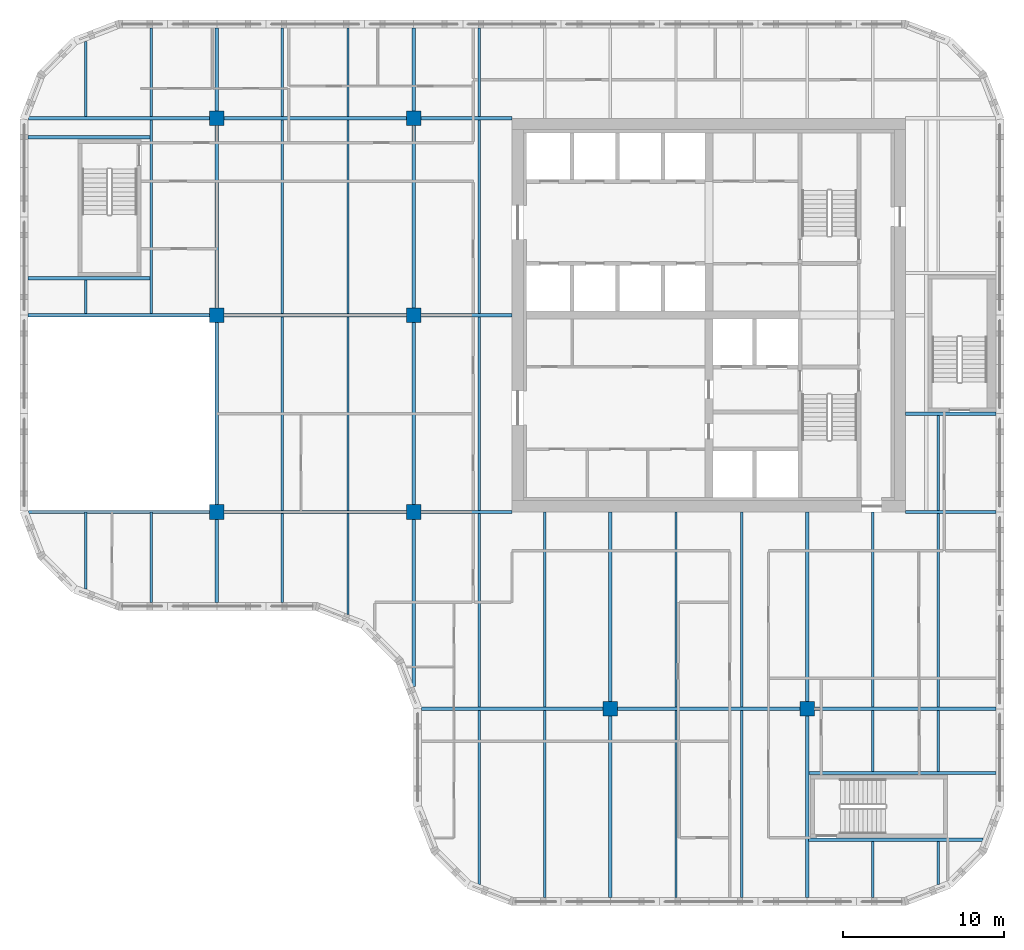
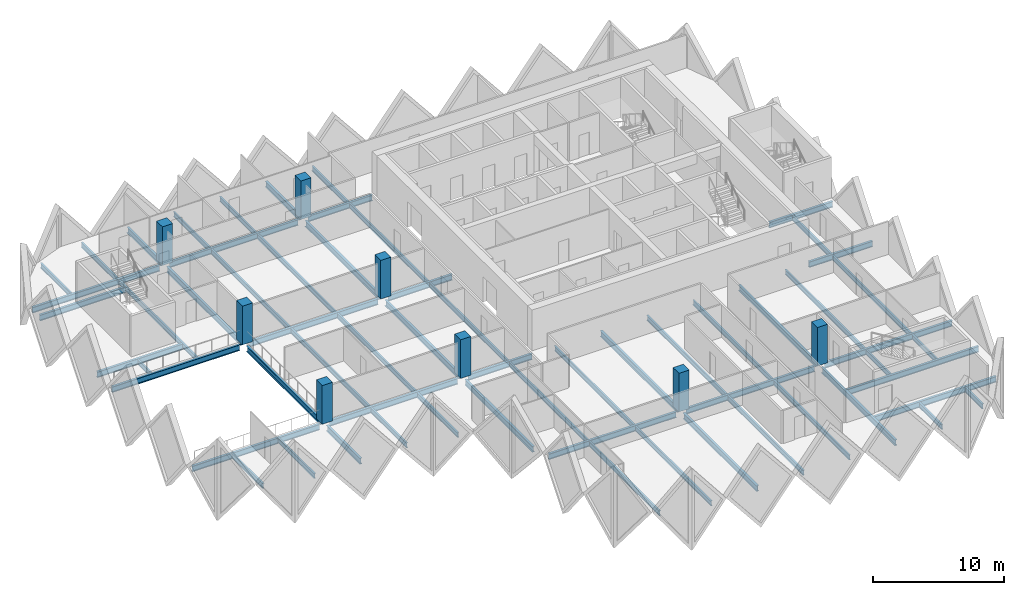
# One storey, part 1 of 12: 62 beams, 8 columns.
"""IFC4 building model written with IfcOpenShell, lengths in metres."""

from ifc_helpers import new_model, si_unit, direction, frame, origin, origin_2d, place, context, subcontext, project, spatial, rectangle, i_section, extrude, material, material_profile, profile_set, type_object, element, save


model = new_model("IFC4")

# Units and contexts
model_context = context("Model", 3, precision=1e-05, world=origin(), true_north=direction((0.0, 1.0)))
body_context = subcontext(model_context, "Body", "Model", "MODEL_VIEW")
ifc_project = project(units=[si_unit("LENGTHUNIT", "METRE"), si_unit("AREAUNIT", "SQUARE_METRE"), si_unit("VOLUMEUNIT", "CUBIC_METRE"), si_unit("PLANEANGLEUNIT", "RADIAN"), si_unit("MASSUNIT", "GRAM", prefix="KILO")], contexts=[model_context])

# Site, building, storey
site_placement = place(None, origin())
site = spatial("IfcSite", under=ifc_project, at=site_placement, CompositionType="ELEMENT")
building_placement = place(site_placement, origin())
building = spatial("IfcBuilding", under=site, at=building_placement, Name="Tessera Gate Towers", CompositionType="ELEMENT")
storey_placement = place(building_placement, frame((0.0, 0.0, 143.0)))
storey = spatial("IfcBuildingStorey", under=building, at=storey_placement, Name="L35", CompositionType="ELEMENT", Elevation=143.0)

# Columns
ifc_material_1 = material(Name="Concrete C70/85", Category="concrete")
ifc_material_profile_1 = material_profile(ifc_material_1, rectangle(XDim=0.89990234375, YDim=0.89990234375, at=origin_2d()), Name="RC 900x900")
ifc_profile_set_1 = profile_set([ifc_material_profile_1], Name="Concrete C70/85")
column_type = type_object("IfcColumnType", Name="COLUMN RC 900x900", PredefinedType="COLUMN", material=ifc_profile_set_1)
for number, where, z_axis, x_axis, name in (
    (1, (12.199951171875, 24.39990234375, 0.0), (0.0, 0.0, 1.0), (1.0, 0.0, 0.0), "T1-COL-2C-L35"),
    (2, (12.199951171875, 36.60009765625, 0.0), (0.0, 0.0, 1.0), (1.0, 0.0, 0.0), "T1-COL-2D-L35"),
    (3, (12.199951171875, 48.800048828125, 0.0), (0.0, 0.0, 1.0), (1.0, 0.0, 0.0), "T1-COL-2E-L35"),
    (4, (24.39990234375, 24.39990234375, 0.0), (0.0, 0.0, 1.0), (1.0, 0.0, 0.0), "T1-COL-3C-L35"),
    (5, (24.39990234375, 36.60009765625, 0.0), (0.0, 0.0, 1.0), (1.0, 0.0, 0.0), "T1-COL-3D-L35"),
    (6, (24.39990234375, 48.800048828125, 0.0), (0.0, 0.0, 1.0), (1.0, 0.0, 0.0), "T1-COL-3E-L35"),
    (7, (36.60009765625, 12.199951171875, 0.0), (0.0, 0.0, 1.0), (1.0, 0.0, 0.0), "T1-COL-4B-L35"),
    (8, (48.800048828125, 12.199951171875, 0.0), (0.0, 0.0, 1.0), (1.0, 0.0, 0.0), "T1-COL-5B-L35"),
):
    element("IfcColumn", number, at=place(storey_placement, frame(where, z_axis=z_axis, x_axis=x_axis)), inside=storey, type_object=column_type, Name=name, PredefinedType="COLUMN", context=body_context, shape_type="SweptSolid", body=[
        extrude(rectangle(XDim=0.89990234375, YDim=0.89990234375, at=origin_2d()), origin(), (0.0, 0.0, 1.0), 3.60009765625),
    ])

# Beams
ifc_material_2 = material(Name="Steel 350W", Category="steel")
ifc_material_profile_2 = material_profile(ifc_material_2, i_section(OverallWidth=0.208984375, OverallDepth=0.532958984375, WebThickness=0.01025390625, FlangeThickness=0.015625, at=origin_2d()), Name="W530x92")
ifc_profile_set_2 = profile_set([ifc_material_profile_2], Name="Steel 350W")
beam_type_1 = type_object("IfcBeamType", Name="FLOOR GIRDER W530x92", PredefinedType="BEAM", material=ifc_profile_set_2)
beam_1_placement = place(storey_placement, frame((24.89892578125, 12.199951171875, -0.466552734375), z_axis=(1.0, 0.0, 0.0), x_axis=(0.0, 1.0, 0.0)))
element("IfcBeam", 9, at=beam_1_placement, inside=storey, type_object=beam_type_1, Name="T1-GD-L35-4148", PredefinedType="BEAM", context=body_context, shape_type="SweptSolid", body=[
    extrude(i_section(OverallWidth=0.208984375, OverallDepth=0.532958984375, WebThickness=0.01025390625, FlangeThickness=0.015625, at=origin_2d()), origin(), (0.0, 0.0, 1.0), 11.2509765625),
])
beam_2_placement = place(storey_placement, frame((37.050048828125, 12.199951171875, -0.466552734375), z_axis=(1.0, 0.0, 0.0), x_axis=(0.0, 1.0, 0.0)))
element("IfcBeam", 10, at=beam_2_placement, inside=storey, type_object=beam_type_1, Name="T1-GD-L35-4149", PredefinedType="BEAM", context=body_context, shape_type="SweptSolid", body=[
    extrude(i_section(OverallWidth=0.208984375, OverallDepth=0.532958984375, WebThickness=0.01025390625, FlangeThickness=0.015625, at=origin_2d()), origin(), (0.0, 0.0, 1.0), 11.300048828125),
])
beam_3_placement = place(storey_placement, frame((49.25, 12.199951171875, -0.466552734375), z_axis=(1.0, 0.0, 0.0), x_axis=(0.0, 1.0, 0.0)))
element("IfcBeam", 11, at=beam_3_placement, inside=storey, type_object=beam_type_1, Name="T1-GD-L35-4150", PredefinedType="BEAM", context=body_context, shape_type="SweptSolid", body=[
    extrude(i_section(OverallWidth=0.208984375, OverallDepth=0.532958984375, WebThickness=0.01025390625, FlangeThickness=0.015625, at=origin_2d()), origin(), (0.0, 0.0, 1.0), 11.2509765625),
])
beam_4_placement = place(storey_placement, frame((0.534912109375, 24.39990234375, -0.466552734375), z_axis=(1.0, 0.0, 0.0), x_axis=(0.0, 1.0, 0.0)))
element("IfcBeam", 12, at=beam_4_placement, inside=storey, type_object=beam_type_1, Name="T1-GD-L35-4151", PredefinedType="BEAM", context=body_context, shape_type="SweptSolid", body=[
    extrude(i_section(OverallWidth=0.208984375, OverallDepth=0.532958984375, WebThickness=0.01025390625, FlangeThickness=0.015625, at=origin_2d()), origin(), (0.0, 0.0, 1.0), 11.215087890625),
])
beam_5_placement = place(storey_placement, frame((12.64990234375, 24.39990234375, -0.466552734375), z_axis=(1.0, 0.0, 0.0), x_axis=(0.0, 1.0, 0.0)))
element("IfcBeam", 13, at=beam_5_placement, inside=storey, type_object=beam_type_1, Name="T1-GD-L35-4152", PredefinedType="BEAM", context=body_context, shape_type="SweptSolid", body=[
    extrude(i_section(OverallWidth=0.208984375, OverallDepth=0.532958984375, WebThickness=0.01025390625, FlangeThickness=0.015625, at=origin_2d()), origin(), (0.0, 0.0, 1.0), 11.300048828125),
])
beam_6_placement = place(storey_placement, frame((24.85009765625, 24.39990234375, -0.466552734375), z_axis=(1.0, 0.0, 0.0), x_axis=(0.0, 1.0, 0.0)))
element("IfcBeam", 14, at=beam_6_placement, inside=storey, type_object=beam_type_1, Name="T1-GD-L35-4153", PredefinedType="BEAM", context=body_context, shape_type="SweptSolid", body=[
    extrude(i_section(OverallWidth=0.208984375, OverallDepth=0.532958984375, WebThickness=0.01025390625, FlangeThickness=0.015625, at=origin_2d()), origin(), (0.0, 0.0, 1.0), 5.64892578125),
])
beam_7_placement = place(storey_placement, frame((54.90087890625, 24.39990234375, -0.466552734375), z_axis=(1.0, 0.0, 0.0), x_axis=(0.0, 1.0, 0.0)))
element("IfcBeam", 15, at=beam_7_placement, inside=storey, type_object=beam_type_1, Name="T1-GD-L35-4154", PredefinedType="BEAM", context=body_context, shape_type="SweptSolid", body=[
    extrude(i_section(OverallWidth=0.208984375, OverallDepth=0.532958984375, WebThickness=0.01025390625, FlangeThickness=0.015625, at=origin_2d()), origin(), (0.0, 0.0, 1.0), 5.60009765625),
])
beam_8_placement = place(storey_placement, frame((0.4990234375, 36.60009765625, -0.466552734375), z_axis=(1.0, 0.0, 0.0), x_axis=(0.0, 1.0, 0.0)))
element("IfcBeam", 16, at=beam_8_placement, inside=storey, type_object=beam_type_1, Name="T1-GD-L35-4155", PredefinedType="BEAM", context=body_context, shape_type="SweptSolid", body=[
    extrude(i_section(OverallWidth=0.208984375, OverallDepth=0.532958984375, WebThickness=0.01025390625, FlangeThickness=0.015625, at=origin_2d()), origin(), (0.0, 0.0, 1.0), 11.2509765625),
])
beam_9_placement = place(storey_placement, frame((12.64990234375, 36.60009765625, -0.466552734375), z_axis=(1.0, 0.0, 0.0), x_axis=(0.0, 1.0, 0.0)))
element("IfcBeam", 17, at=beam_9_placement, inside=storey, type_object=beam_type_1, Name="T1-GD-L35-4156", PredefinedType="BEAM", context=body_context, shape_type="SweptSolid", body=[
    extrude(i_section(OverallWidth=0.208984375, OverallDepth=0.532958984375, WebThickness=0.01025390625, FlangeThickness=0.015625, at=origin_2d()), origin(), (0.0, 0.0, 1.0), 11.300048828125),
])
beam_10_placement = place(storey_placement, frame((24.85009765625, 36.60009765625, -0.466552734375), z_axis=(1.0, 0.0, 0.0), x_axis=(0.0, 1.0, 0.0)))
element("IfcBeam", 18, at=beam_10_placement, inside=storey, type_object=beam_type_1, Name="T1-GD-L35-4157", PredefinedType="BEAM", context=body_context, shape_type="SweptSolid", body=[
    extrude(i_section(OverallWidth=0.208984375, OverallDepth=0.532958984375, WebThickness=0.01025390625, FlangeThickness=0.015625, at=origin_2d()), origin(), (0.0, 0.0, 1.0), 5.65087890625),
])
beam_11_placement = place(storey_placement, frame((0.534912109375, 48.800048828125, -0.466552734375), z_axis=(1.0, 0.0, 0.0), x_axis=(0.0, 1.0, 0.0)))
element("IfcBeam", 19, at=beam_11_placement, inside=storey, type_object=beam_type_1, Name="T1-GD-L35-4159", PredefinedType="BEAM", context=body_context, shape_type="SweptSolid", body=[
    extrude(i_section(OverallWidth=0.208984375, OverallDepth=0.532958984375, WebThickness=0.01025390625, FlangeThickness=0.015625, at=origin_2d()), origin(), (0.0, 0.0, 1.0), 11.215087890625),
])
beam_12_placement = place(storey_placement, frame((12.64990234375, 48.800048828125, -0.466552734375), z_axis=(1.0, 0.0, 0.0), x_axis=(0.0, 1.0, 0.0)))
element("IfcBeam", 20, at=beam_12_placement, inside=storey, type_object=beam_type_1, Name="T1-GD-L35-4160", PredefinedType="BEAM", context=body_context, shape_type="SweptSolid", body=[
    extrude(i_section(OverallWidth=0.208984375, OverallDepth=0.532958984375, WebThickness=0.01025390625, FlangeThickness=0.015625, at=origin_2d()), origin(), (0.0, 0.0, 1.0), 11.300048828125),
])
beam_13_placement = place(storey_placement, frame((24.85009765625, 48.800048828125, -0.466552734375), z_axis=(1.0, 0.0, 0.0), x_axis=(0.0, 1.0, 0.0)))
element("IfcBeam", 21, at=beam_13_placement, inside=storey, type_object=beam_type_1, Name="T1-GD-L35-4161", PredefinedType="BEAM", context=body_context, shape_type="SweptSolid", body=[
    extrude(i_section(OverallWidth=0.208984375, OverallDepth=0.532958984375, WebThickness=0.01025390625, FlangeThickness=0.015625, at=origin_2d()), origin(), (0.0, 0.0, 1.0), 5.64892578125),
])
beam_14_placement = place(storey_placement, frame((12.199951171875, 18.799072265625, -0.466552734375), z_axis=(0.0, 1.0, 0.0), x_axis=(-1.0, 0.0, 0.0)))
element("IfcBeam", 22, at=beam_14_placement, inside=storey, type_object=beam_type_1, Name="T1-GD-L35-4163", PredefinedType="BEAM", context=body_context, shape_type="SweptSolid", body=[
    extrude(i_section(OverallWidth=0.208984375, OverallDepth=0.532958984375, WebThickness=0.01025390625, FlangeThickness=0.015625, at=origin_2d()), origin(), (0.0, 0.0, 1.0), 5.15087890625),
])
beam_15_placement = place(storey_placement, frame((12.199951171875, 24.85009765625, -0.466552734375), z_axis=(0.0, 1.0, 0.0), x_axis=(-1.0, 0.0, 0.0)))
element("IfcBeam", 23, at=beam_15_placement, inside=storey, type_object=beam_type_1, Name="T1-GD-L35-4164", PredefinedType="BEAM", context=body_context, shape_type="SweptSolid", body=[
    extrude(i_section(OverallWidth=0.208984375, OverallDepth=0.532958984375, WebThickness=0.01025390625, FlangeThickness=0.015625, at=origin_2d()), origin(), (0.0, 0.0, 1.0), 11.2998046875),
])
beam_16_placement = place(storey_placement, frame((12.199951171875, 37.050048828125, -0.466552734375), z_axis=(0.0, 1.0, 0.0), x_axis=(-1.0, 0.0, 0.0)))
element("IfcBeam", 24, at=beam_16_placement, inside=storey, type_object=beam_type_1, Name="T1-GD-L35-4165", PredefinedType="BEAM", context=body_context, shape_type="SweptSolid", body=[
    extrude(i_section(OverallWidth=0.208984375, OverallDepth=0.532958984375, WebThickness=0.01025390625, FlangeThickness=0.015625, at=origin_2d()), origin(), (0.0, 0.0, 1.0), 11.300048828125),
])
beam_17_placement = place(storey_placement, frame((12.199951171875, 49.25, -0.466552734375), z_axis=(0.0, 1.0, 0.0), x_axis=(-1.0, 0.0, 0.0)))
element("IfcBeam", 25, at=beam_17_placement, inside=storey, type_object=beam_type_1, Name="T1-GD-L35-4166", PredefinedType="BEAM", context=body_context, shape_type="SweptSolid", body=[
    extrude(i_section(OverallWidth=0.208984375, OverallDepth=0.532958984375, WebThickness=0.01025390625, FlangeThickness=0.015625, at=origin_2d()), origin(), (0.0, 0.0, 1.0), 5.15087890625),
])
beam_18_placement = place(storey_placement, frame((24.39990234375, 13.58642578125, -0.466552734375), z_axis=(0.0, 1.0, 0.0), x_axis=(-1.0, 0.0, 0.0)))
element("IfcBeam", 26, at=beam_18_placement, inside=storey, type_object=beam_type_1, Name="T1-GD-L35-4167", PredefinedType="BEAM", context=body_context, shape_type="SweptSolid", body=[
    extrude(i_section(OverallWidth=0.208984375, OverallDepth=0.532958984375, WebThickness=0.01025390625, FlangeThickness=0.015625, at=origin_2d()), origin(), (0.0, 0.0, 1.0), 10.363525390625),
])
beam_19_placement = place(storey_placement, frame((24.39990234375, 24.85009765625, -0.466552734375), z_axis=(0.0, 1.0, 0.0), x_axis=(-1.0, 0.0, 0.0)))
element("IfcBeam", 27, at=beam_19_placement, inside=storey, type_object=beam_type_1, Name="T1-GD-L35-4168", PredefinedType="BEAM", context=body_context, shape_type="SweptSolid", body=[
    extrude(i_section(OverallWidth=0.208984375, OverallDepth=0.532958984375, WebThickness=0.01025390625, FlangeThickness=0.015625, at=origin_2d()), origin(), (0.0, 0.0, 1.0), 11.2998046875),
])
beam_20_placement = place(storey_placement, frame((24.39990234375, 37.050048828125, -0.466552734375), z_axis=(0.0, 1.0, 0.0), x_axis=(-1.0, 0.0, 0.0)))
element("IfcBeam", 28, at=beam_20_placement, inside=storey, type_object=beam_type_1, Name="T1-GD-L35-4169", PredefinedType="BEAM", context=body_context, shape_type="SweptSolid", body=[
    extrude(i_section(OverallWidth=0.208984375, OverallDepth=0.532958984375, WebThickness=0.01025390625, FlangeThickness=0.015625, at=origin_2d()), origin(), (0.0, 0.0, 1.0), 11.300048828125),
])
beam_21_placement = place(storey_placement, frame((24.39990234375, 49.25, -0.466552734375), z_axis=(0.0, 1.0, 0.0), x_axis=(-1.0, 0.0, 0.0)))
element("IfcBeam", 29, at=beam_21_placement, inside=storey, type_object=beam_type_1, Name="T1-GD-L35-4170", PredefinedType="BEAM", context=body_context, shape_type="SweptSolid", body=[
    extrude(i_section(OverallWidth=0.208984375, OverallDepth=0.532958984375, WebThickness=0.01025390625, FlangeThickness=0.015625, at=origin_2d()), origin(), (0.0, 0.0, 1.0), 5.15087890625),
])
beam_22_placement = place(storey_placement, frame((36.60009765625, 0.4990234375, -0.466552734375), z_axis=(0.0, 1.0, 0.0), x_axis=(-1.0, 0.0, 0.0)))
element("IfcBeam", 30, at=beam_22_placement, inside=storey, type_object=beam_type_1, Name="T1-GD-L35-4171", PredefinedType="BEAM", context=body_context, shape_type="SweptSolid", body=[
    extrude(i_section(OverallWidth=0.208984375, OverallDepth=0.532958984375, WebThickness=0.01025390625, FlangeThickness=0.015625, at=origin_2d()), origin(), (0.0, 0.0, 1.0), 11.2509765625),
])
beam_23_placement = place(storey_placement, frame((36.60009765625, 12.64990234375, -0.466552734375), z_axis=(0.0, 1.0, 0.0), x_axis=(-1.0, 0.0, 0.0)))
element("IfcBeam", 31, at=beam_23_placement, inside=storey, type_object=beam_type_1, Name="T1-GD-L35-4172", PredefinedType="BEAM", context=body_context, shape_type="SweptSolid", body=[
    extrude(i_section(OverallWidth=0.208984375, OverallDepth=0.532958984375, WebThickness=0.01025390625, FlangeThickness=0.015625, at=origin_2d()), origin(), (0.0, 0.0, 1.0), 11.75),
])
beam_24_placement = place(storey_placement, frame((48.800048828125, 0.4990234375, -0.466552734375), z_axis=(0.0, 1.0, 0.0), x_axis=(-1.0, 0.0, 0.0)))
element("IfcBeam", 32, at=beam_24_placement, inside=storey, type_object=beam_type_1, Name="T1-GD-L35-4173", PredefinedType="BEAM", context=body_context, shape_type="SweptSolid", body=[
    extrude(i_section(OverallWidth=0.208984375, OverallDepth=0.532958984375, WebThickness=0.01025390625, FlangeThickness=0.015625, at=origin_2d()), origin(), (0.0, 0.0, 1.0), 11.2509765625),
])
beam_25_placement = place(storey_placement, frame((48.800048828125, 12.64990234375, -0.466552734375), z_axis=(0.0, 1.0, 0.0), x_axis=(-1.0, 0.0, 0.0)))
element("IfcBeam", 33, at=beam_25_placement, inside=storey, type_object=beam_type_1, Name="T1-GD-L35-4174", PredefinedType="BEAM", context=body_context, shape_type="SweptSolid", body=[
    extrude(i_section(OverallWidth=0.208984375, OverallDepth=0.532958984375, WebThickness=0.01025390625, FlangeThickness=0.015625, at=origin_2d()), origin(), (0.0, 0.0, 1.0), 11.75),
])
for number, where, z_axis, x_axis, name in (
    (34, (0.4990234375, 38.8798828125, -0.466552734375), (1.0, 0.0, 0.0), (0.0, 1.0, 0.0), "T1-GD-L35-4175"),
    (35, (0.4990234375, 47.6201171875, -0.466552734375), (1.0, 0.0, 0.0), (0.0, 1.0, 0.0), "T1-GD-L35-4176"),
):
    element("IfcBeam", number, at=place(storey_placement, frame(where, z_axis=z_axis, x_axis=x_axis)), inside=storey, type_object=beam_type_1, Name=name, PredefinedType="BEAM", context=body_context, shape_type="SweptSolid", body=[
        extrude(i_section(OverallWidth=0.208984375, OverallDepth=0.532958984375, WebThickness=0.01025390625, FlangeThickness=0.015625, at=origin_2d()), origin(), (0.0, 0.0, 1.0), 7.557861328125),
    ])
beam_26_placement = place(storey_placement, frame((48.87646484375, 4.080078125, -0.466552734375), z_axis=(1.0, 0.0, 0.0), x_axis=(0.0, 1.0, 0.0)))
element("IfcBeam", 36, at=beam_26_placement, inside=storey, type_object=beam_type_1, Name="T1-GD-L35-4177", PredefinedType="BEAM", context=body_context, shape_type="SweptSolid", body=[
    extrude(i_section(OverallWidth=0.208984375, OverallDepth=0.532958984375, WebThickness=0.01025390625, FlangeThickness=0.015625, at=origin_2d()), origin(), (0.0, 0.0, 1.0), 10.809326171875),
])
beam_27_placement = place(storey_placement, frame((48.87646484375, 8.219970703125, -0.466552734375), z_axis=(1.0, 0.0, 0.0), x_axis=(0.0, 1.0, 0.0)))
element("IfcBeam", 37, at=beam_27_placement, inside=storey, type_object=beam_type_1, Name="T1-GD-L35-4178", PredefinedType="BEAM", context=body_context, shape_type="SweptSolid", body=[
    extrude(i_section(OverallWidth=0.208984375, OverallDepth=0.532958984375, WebThickness=0.01025390625, FlangeThickness=0.015625, at=origin_2d()), origin(), (0.0, 0.0, 1.0), 11.62451171875),
])
beam_28_placement = place(storey_placement, frame((54.89892578125, 30.47998046875, -0.466552734375), z_axis=(1.0, 0.0, 0.0), x_axis=(0.0, 1.0, 0.0)))
element("IfcBeam", 38, at=beam_28_placement, inside=storey, type_object=beam_type_1, Name="T1-GD-L35-4179", PredefinedType="BEAM", context=body_context, shape_type="SweptSolid", body=[
    extrude(i_section(OverallWidth=0.208984375, OverallDepth=0.532958984375, WebThickness=0.01025390625, FlangeThickness=0.015625, at=origin_2d()), origin(), (0.0, 0.0, 1.0), 5.60205078125),
])
ifc_material_3 = material(Name="Steel 350W", Category="steel")
ifc_material_profile_3 = material_profile(ifc_material_3, i_section(OverallWidth=0.153076171875, OverallDepth=0.455078125, WebThickness=0.008056640625, FlangeThickness=0.01318359375, at=origin_2d()), Name="W460x60")
ifc_profile_set_3 = profile_set([ifc_material_profile_3], Name="Steel 350W")
beam_type_2 = type_object("IfcBeamType", Name="FLOOR SECONDARY W460x60", PredefinedType="BEAM", material=ifc_profile_set_3)
beam_29_placement = place(storey_placement, frame((4.066650390625, 19.620361328125, -0.427490234375), z_axis=(0.0, 1.0, 0.0), x_axis=(-1.0, 0.0, 0.0)))
element("IfcBeam", 39, at=beam_29_placement, inside=storey, type_object=beam_type_2, Name="T1-BM-L35-4182", PredefinedType="BEAM", context=body_context, shape_type="SweptSolid", body=[
    extrude(i_section(OverallWidth=0.153076171875, OverallDepth=0.455078125, WebThickness=0.008056640625, FlangeThickness=0.01318359375, at=origin_2d()), origin(), (0.0, 0.0, 1.0), 4.779541015625),
])
beam_30_placement = place(storey_placement, frame((4.066650390625, 36.70458984375, -0.427490234375), z_axis=(0.0, 1.0, 0.0), x_axis=(-1.0, 0.0, 0.0)))
element("IfcBeam", 40, at=beam_30_placement, inside=storey, type_object=beam_type_2, Name="T1-BM-L35-4183", PredefinedType="BEAM", context=body_context, shape_type="SweptSolid", body=[
    extrude(i_section(OverallWidth=0.153076171875, OverallDepth=0.455078125, WebThickness=0.008056640625, FlangeThickness=0.01318359375, at=origin_2d()), origin(), (0.0, 0.0, 1.0), 2.07080078125),
])
beam_31_placement = place(storey_placement, frame((4.066650390625, 48.904541015625, -0.427490234375), z_axis=(0.0, 1.0, 0.0), x_axis=(-1.0, 0.0, 0.0)))
element("IfcBeam", 41, at=beam_31_placement, inside=storey, type_object=beam_type_2, Name="T1-BM-L35-4184", PredefinedType="BEAM", context=body_context, shape_type="SweptSolid", body=[
    extrude(i_section(OverallWidth=0.153076171875, OverallDepth=0.455078125, WebThickness=0.008056640625, FlangeThickness=0.01318359375, at=origin_2d()), origin(), (0.0, 0.0, 1.0), 4.675048828125),
])
beam_32_placement = place(storey_placement, frame((8.13330078125, 18.800048828125, -0.427490234375), z_axis=(0.0, 1.0, 0.0), x_axis=(-1.0, 0.0, 0.0)))
element("IfcBeam", 42, at=beam_32_placement, inside=storey, type_object=beam_type_2, Name="T1-BM-L35-4185", PredefinedType="BEAM", context=body_context, shape_type="SweptSolid", body=[
    extrude(i_section(OverallWidth=0.153076171875, OverallDepth=0.455078125, WebThickness=0.008056640625, FlangeThickness=0.01318359375, at=origin_2d()), origin(), (0.0, 0.0, 1.0), 5.599853515625),
])
beam_33_placement = place(storey_placement, frame((8.13330078125, 36.70458984375, -0.427490234375), z_axis=(0.0, 1.0, 0.0), x_axis=(-1.0, 0.0, 0.0)))
element("IfcBeam", 43, at=beam_33_placement, inside=storey, type_object=beam_type_2, Name="T1-BM-L35-4186", PredefinedType="BEAM", context=body_context, shape_type="SweptSolid", body=[
    extrude(i_section(OverallWidth=0.153076171875, OverallDepth=0.455078125, WebThickness=0.008056640625, FlangeThickness=0.01318359375, at=origin_2d()), origin(), (0.0, 0.0, 1.0), 11.990966796875),
])
for number, where, z_axis, x_axis, name in (
    (44, (8.13330078125, 48.904541015625, -0.427490234375), (0.0, 1.0, 0.0), (-1.0, 0.0, 0.0), "T1-BM-L35-4187"),
    (45, (16.2666015625, 18.800048828125, -0.427490234375), (0.0, 1.0, 0.0), (-1.0, 0.0, 0.0), "T1-BM-L35-4188"),
):
    element("IfcBeam", number, at=place(storey_placement, frame(where, z_axis=z_axis, x_axis=x_axis)), inside=storey, type_object=beam_type_2, Name=name, PredefinedType="BEAM", context=body_context, shape_type="SweptSolid", body=[
        extrude(i_section(OverallWidth=0.153076171875, OverallDepth=0.455078125, WebThickness=0.008056640625, FlangeThickness=0.01318359375, at=origin_2d()), origin(), (0.0, 0.0, 1.0), 5.495361328125),
    ])
beam_34_placement = place(storey_placement, frame((16.2666015625, 24.50439453125, -0.427490234375), z_axis=(0.0, 1.0, 0.0), x_axis=(-1.0, 0.0, 0.0)))
element("IfcBeam", 46, at=beam_34_placement, inside=storey, type_object=beam_type_2, Name="T1-BM-L35-4189", PredefinedType="BEAM", context=body_context, shape_type="SweptSolid", body=[
    extrude(i_section(OverallWidth=0.153076171875, OverallDepth=0.455078125, WebThickness=0.008056640625, FlangeThickness=0.01318359375, at=origin_2d()), origin(), (0.0, 0.0, 1.0), 11.9912109375),
])
beam_35_placement = place(storey_placement, frame((16.2666015625, 36.70458984375, -0.427490234375), z_axis=(0.0, 1.0, 0.0), x_axis=(-1.0, 0.0, 0.0)))
element("IfcBeam", 47, at=beam_35_placement, inside=storey, type_object=beam_type_2, Name="T1-BM-L35-4190", PredefinedType="BEAM", context=body_context, shape_type="SweptSolid", body=[
    extrude(i_section(OverallWidth=0.153076171875, OverallDepth=0.455078125, WebThickness=0.008056640625, FlangeThickness=0.01318359375, at=origin_2d()), origin(), (0.0, 0.0, 1.0), 11.990966796875),
])
beam_36_placement = place(storey_placement, frame((16.2666015625, 48.904541015625, -0.427490234375), z_axis=(0.0, 1.0, 0.0), x_axis=(-1.0, 0.0, 0.0)))
element("IfcBeam", 48, at=beam_36_placement, inside=storey, type_object=beam_type_2, Name="T1-BM-L35-4191", PredefinedType="BEAM", context=body_context, shape_type="SweptSolid", body=[
    extrude(i_section(OverallWidth=0.153076171875, OverallDepth=0.455078125, WebThickness=0.008056640625, FlangeThickness=0.01318359375, at=origin_2d()), origin(), (0.0, 0.0, 1.0), 5.495361328125),
])
beam_37_placement = place(storey_placement, frame((20.333251953125, 18.051513671875, -0.427490234375), z_axis=(0.0, 1.0, 0.0), x_axis=(-1.0, 0.0, 0.0)))
element("IfcBeam", 49, at=beam_37_placement, inside=storey, type_object=beam_type_2, Name="T1-BM-L35-4192", PredefinedType="BEAM", context=body_context, shape_type="SweptSolid", body=[
    extrude(i_section(OverallWidth=0.153076171875, OverallDepth=0.455078125, WebThickness=0.008056640625, FlangeThickness=0.01318359375, at=origin_2d()), origin(), (0.0, 0.0, 1.0), 6.243896484375),
])
beam_38_placement = place(storey_placement, frame((20.333251953125, 24.50439453125, -0.427490234375), z_axis=(0.0, 1.0, 0.0), x_axis=(-1.0, 0.0, 0.0)))
element("IfcBeam", 50, at=beam_38_placement, inside=storey, type_object=beam_type_2, Name="T1-BM-L35-4193", PredefinedType="BEAM", context=body_context, shape_type="SweptSolid", body=[
    extrude(i_section(OverallWidth=0.153076171875, OverallDepth=0.455078125, WebThickness=0.008056640625, FlangeThickness=0.01318359375, at=origin_2d()), origin(), (0.0, 0.0, 1.0), 11.9912109375),
])
beam_39_placement = place(storey_placement, frame((20.333251953125, 36.70458984375, -0.427490234375), z_axis=(0.0, 1.0, 0.0), x_axis=(-1.0, 0.0, 0.0)))
element("IfcBeam", 51, at=beam_39_placement, inside=storey, type_object=beam_type_2, Name="T1-BM-L35-4194", PredefinedType="BEAM", context=body_context, shape_type="SweptSolid", body=[
    extrude(i_section(OverallWidth=0.153076171875, OverallDepth=0.455078125, WebThickness=0.008056640625, FlangeThickness=0.01318359375, at=origin_2d()), origin(), (0.0, 0.0, 1.0), 11.990966796875),
])
beam_40_placement = place(storey_placement, frame((20.333251953125, 48.904541015625, -0.427490234375), z_axis=(0.0, 1.0, 0.0), x_axis=(-1.0, 0.0, 0.0)))
element("IfcBeam", 52, at=beam_40_placement, inside=storey, type_object=beam_type_2, Name="T1-BM-L35-4195", PredefinedType="BEAM", context=body_context, shape_type="SweptSolid", body=[
    extrude(i_section(OverallWidth=0.153076171875, OverallDepth=0.455078125, WebThickness=0.008056640625, FlangeThickness=0.01318359375, at=origin_2d()), origin(), (0.0, 0.0, 1.0), 5.495361328125),
])
beam_41_placement = place(storey_placement, frame((28.466796875, 1.3203125, -0.427490234375), z_axis=(0.0, 1.0, 0.0), x_axis=(-1.0, 0.0, 0.0)))
element("IfcBeam", 53, at=beam_41_placement, inside=storey, type_object=beam_type_2, Name="T1-BM-L35-4196", PredefinedType="BEAM", context=body_context, shape_type="SweptSolid", body=[
    extrude(i_section(OverallWidth=0.153076171875, OverallDepth=0.455078125, WebThickness=0.008056640625, FlangeThickness=0.01318359375, at=origin_2d()), origin(), (0.0, 0.0, 1.0), 10.775146484375),
])
beam_42_placement = place(storey_placement, frame((28.466796875, 12.304443359375, -0.427490234375), z_axis=(0.0, 1.0, 0.0), x_axis=(-1.0, 0.0, 0.0)))
element("IfcBeam", 54, at=beam_42_placement, inside=storey, type_object=beam_type_2, Name="T1-BM-L35-4197", PredefinedType="BEAM", context=body_context, shape_type="SweptSolid", body=[
    extrude(i_section(OverallWidth=0.153076171875, OverallDepth=0.455078125, WebThickness=0.008056640625, FlangeThickness=0.01318359375, at=origin_2d()), origin(), (0.0, 0.0, 1.0), 11.990966796875),
])
beam_43_placement = place(storey_placement, frame((28.466796875, 24.50439453125, -0.427490234375), z_axis=(0.0, 1.0, 0.0), x_axis=(-1.0, 0.0, 0.0)))
element("IfcBeam", 55, at=beam_43_placement, inside=storey, type_object=beam_type_2, Name="T1-BM-L35-4198", PredefinedType="BEAM", context=body_context, shape_type="SweptSolid", body=[
    extrude(i_section(OverallWidth=0.153076171875, OverallDepth=0.455078125, WebThickness=0.008056640625, FlangeThickness=0.01318359375, at=origin_2d()), origin(), (0.0, 0.0, 1.0), 11.9912109375),
])
beam_44_placement = place(storey_placement, frame((28.466796875, 36.70458984375, -0.427490234375), z_axis=(0.0, 1.0, 0.0), x_axis=(-1.0, 0.0, 0.0)))
element("IfcBeam", 56, at=beam_44_placement, inside=storey, type_object=beam_type_2, Name="T1-BM-L35-4199", PredefinedType="BEAM", context=body_context, shape_type="SweptSolid", body=[
    extrude(i_section(OverallWidth=0.153076171875, OverallDepth=0.455078125, WebThickness=0.008056640625, FlangeThickness=0.01318359375, at=origin_2d()), origin(), (0.0, 0.0, 1.0), 11.990966796875),
])
beam_45_placement = place(storey_placement, frame((28.466796875, 48.904541015625, -0.427490234375), z_axis=(0.0, 1.0, 0.0), x_axis=(-1.0, 0.0, 0.0)))
element("IfcBeam", 57, at=beam_45_placement, inside=storey, type_object=beam_type_2, Name="T1-BM-L35-4200", PredefinedType="BEAM", context=body_context, shape_type="SweptSolid", body=[
    extrude(i_section(OverallWidth=0.153076171875, OverallDepth=0.455078125, WebThickness=0.008056640625, FlangeThickness=0.01318359375, at=origin_2d()), origin(), (0.0, 0.0, 1.0), 5.495361328125),
])
beam_46_placement = place(storey_placement, frame((32.533203125, 0.5, -0.427490234375), z_axis=(0.0, 1.0, 0.0), x_axis=(-1.0, 0.0, 0.0)))
element("IfcBeam", 58, at=beam_46_placement, inside=storey, type_object=beam_type_2, Name="T1-BM-L35-4201", PredefinedType="BEAM", context=body_context, shape_type="SweptSolid", body=[
    extrude(i_section(OverallWidth=0.153076171875, OverallDepth=0.455078125, WebThickness=0.008056640625, FlangeThickness=0.01318359375, at=origin_2d()), origin(), (0.0, 0.0, 1.0), 11.595458984375),
])
beam_47_placement = place(storey_placement, frame((32.533203125, 12.304443359375, -0.427490234375), z_axis=(0.0, 1.0, 0.0), x_axis=(-1.0, 0.0, 0.0)))
element("IfcBeam", 59, at=beam_47_placement, inside=storey, type_object=beam_type_2, Name="T1-BM-L35-4202", PredefinedType="BEAM", context=body_context, shape_type="SweptSolid", body=[
    extrude(i_section(OverallWidth=0.153076171875, OverallDepth=0.455078125, WebThickness=0.008056640625, FlangeThickness=0.01318359375, at=origin_2d()), origin(), (0.0, 0.0, 1.0), 12.095458984375),
])
beam_48_placement = place(storey_placement, frame((40.666748046875, 0.5, -0.427490234375), z_axis=(0.0, 1.0, 0.0), x_axis=(-1.0, 0.0, 0.0)))
element("IfcBeam", 60, at=beam_48_placement, inside=storey, type_object=beam_type_2, Name="T1-BM-L35-4205", PredefinedType="BEAM", context=body_context, shape_type="SweptSolid", body=[
    extrude(i_section(OverallWidth=0.153076171875, OverallDepth=0.455078125, WebThickness=0.008056640625, FlangeThickness=0.01318359375, at=origin_2d()), origin(), (0.0, 0.0, 1.0), 11.595458984375),
])
beam_49_placement = place(storey_placement, frame((40.666748046875, 12.304443359375, -0.427490234375), z_axis=(0.0, 1.0, 0.0), x_axis=(-1.0, 0.0, 0.0)))
element("IfcBeam", 61, at=beam_49_placement, inside=storey, type_object=beam_type_2, Name="T1-BM-L35-4206", PredefinedType="BEAM", context=body_context, shape_type="SweptSolid", body=[
    extrude(i_section(OverallWidth=0.153076171875, OverallDepth=0.455078125, WebThickness=0.008056640625, FlangeThickness=0.01318359375, at=origin_2d()), origin(), (0.0, 0.0, 1.0), 12.095458984375),
])
beam_50_placement = place(storey_placement, frame((44.7333984375, 0.5, -0.427490234375), z_axis=(0.0, 1.0, 0.0), x_axis=(-1.0, 0.0, 0.0)))
element("IfcBeam", 62, at=beam_50_placement, inside=storey, type_object=beam_type_2, Name="T1-BM-L35-4208", PredefinedType="BEAM", context=body_context, shape_type="SweptSolid", body=[
    extrude(i_section(OverallWidth=0.153076171875, OverallDepth=0.455078125, WebThickness=0.008056640625, FlangeThickness=0.01318359375, at=origin_2d()), origin(), (0.0, 0.0, 1.0), 11.595458984375),
])
beam_51_placement = place(storey_placement, frame((44.7333984375, 12.304443359375, -0.427490234375), z_axis=(0.0, 1.0, 0.0), x_axis=(-1.0, 0.0, 0.0)))
element("IfcBeam", 63, at=beam_51_placement, inside=storey, type_object=beam_type_2, Name="T1-BM-L35-4209", PredefinedType="BEAM", context=body_context, shape_type="SweptSolid", body=[
    extrude(i_section(OverallWidth=0.153076171875, OverallDepth=0.455078125, WebThickness=0.008056640625, FlangeThickness=0.01318359375, at=origin_2d()), origin(), (0.0, 0.0, 1.0), 12.095458984375),
])
beam_52_placement = place(storey_placement, frame((52.86669921875, 0.5, -0.427490234375), z_axis=(0.0, 1.0, 0.0), x_axis=(-1.0, 0.0, 0.0)))
element("IfcBeam", 64, at=beam_52_placement, inside=storey, type_object=beam_type_2, Name="T1-BM-L35-4212", PredefinedType="BEAM", context=body_context, shape_type="SweptSolid", body=[
    extrude(i_section(OverallWidth=0.153076171875, OverallDepth=0.455078125, WebThickness=0.008056640625, FlangeThickness=0.01318359375, at=origin_2d()), origin(), (0.0, 0.0, 1.0), 3.4755859375),
])
beam_53_placement = place(storey_placement, frame((52.86669921875, 8.324462890625, -0.427490234375), z_axis=(0.0, 1.0, 0.0), x_axis=(-1.0, 0.0, 0.0)))
element("IfcBeam", 65, at=beam_53_placement, inside=storey, type_object=beam_type_2, Name="T1-BM-L35-4213", PredefinedType="BEAM", context=body_context, shape_type="SweptSolid", body=[
    extrude(i_section(OverallWidth=0.153076171875, OverallDepth=0.455078125, WebThickness=0.008056640625, FlangeThickness=0.01318359375, at=origin_2d()), origin(), (0.0, 0.0, 1.0), 3.77099609375),
])
beam_54_placement = place(storey_placement, frame((52.86669921875, 12.304443359375, -0.427490234375), z_axis=(0.0, 1.0, 0.0), x_axis=(-1.0, 0.0, 0.0)))
element("IfcBeam", 66, at=beam_54_placement, inside=storey, type_object=beam_type_2, Name="T1-BM-L35-4214", PredefinedType="BEAM", context=body_context, shape_type="SweptSolid", body=[
    extrude(i_section(OverallWidth=0.153076171875, OverallDepth=0.455078125, WebThickness=0.008056640625, FlangeThickness=0.01318359375, at=origin_2d()), origin(), (0.0, 0.0, 1.0), 12.095458984375),
])
beam_55_placement = place(storey_placement, frame((56.933349609375, 1.3203125, -0.427490234375), z_axis=(0.0, 1.0, 0.0), x_axis=(-1.0, 0.0, 0.0)))
element("IfcBeam", 67, at=beam_55_placement, inside=storey, type_object=beam_type_2, Name="T1-BM-L35-4216", PredefinedType="BEAM", context=body_context, shape_type="SweptSolid", body=[
    extrude(i_section(OverallWidth=0.153076171875, OverallDepth=0.455078125, WebThickness=0.008056640625, FlangeThickness=0.01318359375, at=origin_2d()), origin(), (0.0, 0.0, 1.0), 2.6552734375),
])
beam_56_placement = place(storey_placement, frame((56.933349609375, 8.324462890625, -0.427490234375), z_axis=(0.0, 1.0, 0.0), x_axis=(-1.0, 0.0, 0.0)))
element("IfcBeam", 68, at=beam_56_placement, inside=storey, type_object=beam_type_2, Name="T1-BM-L35-4217", PredefinedType="BEAM", context=body_context, shape_type="SweptSolid", body=[
    extrude(i_section(OverallWidth=0.153076171875, OverallDepth=0.455078125, WebThickness=0.008056640625, FlangeThickness=0.01318359375, at=origin_2d()), origin(), (0.0, 0.0, 1.0), 3.77099609375),
])
beam_57_placement = place(storey_placement, frame((56.933349609375, 12.304443359375, -0.427490234375), z_axis=(0.0, 1.0, 0.0), x_axis=(-1.0, 0.0, 0.0)))
element("IfcBeam", 69, at=beam_57_placement, inside=storey, type_object=beam_type_2, Name="T1-BM-L35-4218", PredefinedType="BEAM", context=body_context, shape_type="SweptSolid", body=[
    extrude(i_section(OverallWidth=0.153076171875, OverallDepth=0.455078125, WebThickness=0.008056640625, FlangeThickness=0.01318359375, at=origin_2d()), origin(), (0.0, 0.0, 1.0), 11.990966796875),
])
beam_58_placement = place(storey_placement, frame((56.933349609375, 24.50439453125, -0.427490234375), z_axis=(0.0, 1.0, 0.0), x_axis=(-1.0, 0.0, 0.0)))
element("IfcBeam", 70, at=beam_58_placement, inside=storey, type_object=beam_type_2, Name="T1-BM-L35-4219", PredefinedType="BEAM", context=body_context, shape_type="SweptSolid", body=[
    extrude(i_section(OverallWidth=0.153076171875, OverallDepth=0.455078125, WebThickness=0.008056640625, FlangeThickness=0.01318359375, at=origin_2d()), origin(), (0.0, 0.0, 1.0), 5.87109375),
])

save(model, "model.ifc")
